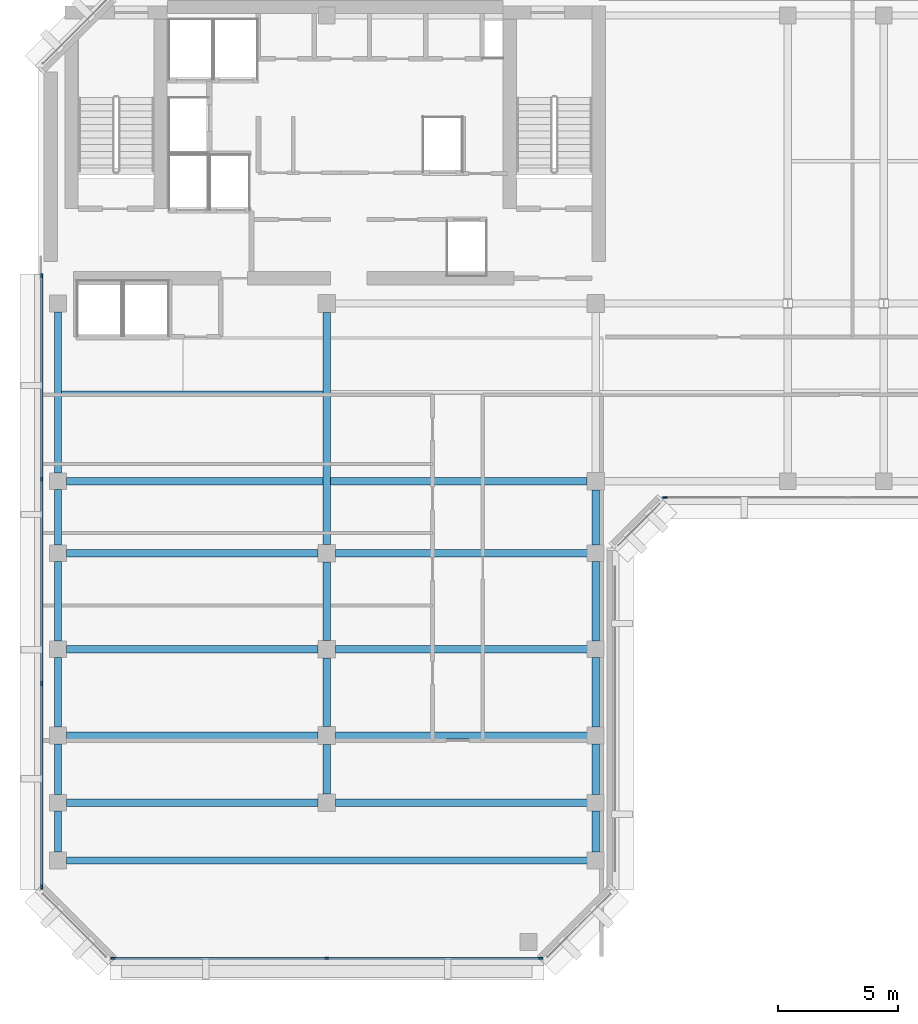
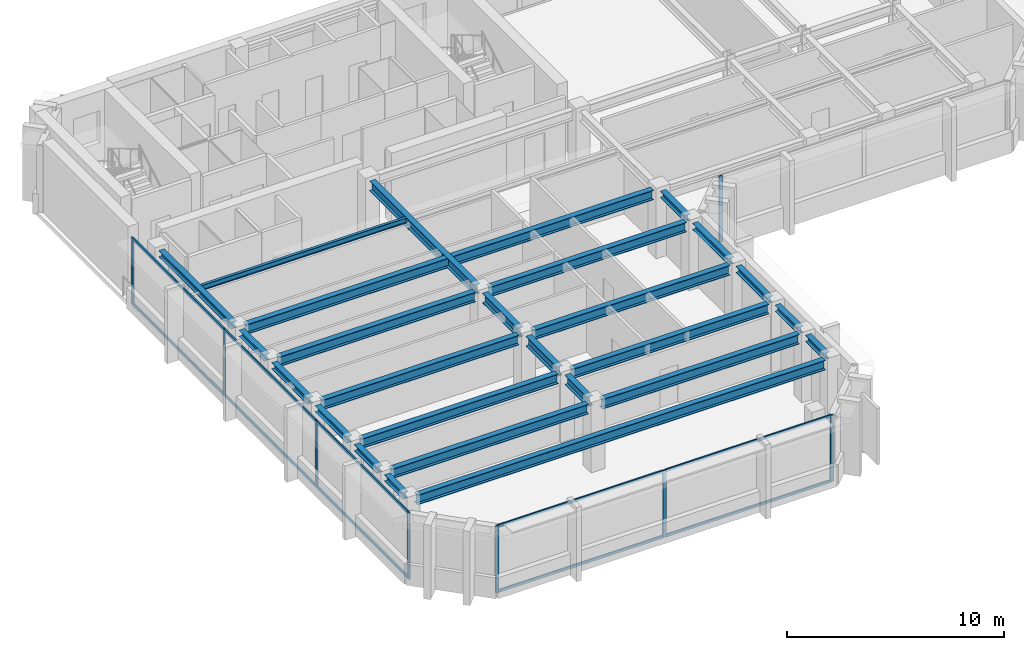
# One storey, part 2 of 11: 26 beams, 18 members, 3 elements without a shape of their own.
"""IFC4 building model written with IfcOpenShell, lengths in metres."""

from ifc_helpers import new_model, si_unit, direction, frame, origin, origin_2d, place, context, subcontext, project, spatial, rectangle, i_section, extrude, material, layer, layer_set, material_profile, profile_set, type_object, element, aggregate, save


model = new_model("IFC4")

# Units and contexts
model_context = context("Model", 3, precision=1e-05, world=origin(), true_north=direction((0.0, 1.0)))
body_context = subcontext(model_context, "Body", "Model", "MODEL_VIEW")
ifc_project = project(units=[si_unit("LENGTHUNIT", "METRE"), si_unit("AREAUNIT", "SQUARE_METRE"), si_unit("VOLUMEUNIT", "CUBIC_METRE"), si_unit("PLANEANGLEUNIT", "RADIAN"), si_unit("MASSUNIT", "GRAM", prefix="KILO")], contexts=[model_context])

# Site, building, storey
site_placement = place(None, origin())
site = spatial("IfcSite", under=ifc_project, at=site_placement, CompositionType="ELEMENT")
building_placement = place(site_placement, origin())
building = spatial("IfcBuilding", under=site, at=building_placement, Name="Kefirva Bronze Tower", CompositionType="ELEMENT")
storey_placement = place(building_placement, frame((0.0, 0.0, 272.25)))
storey = spatial("IfcBuildingStorey", under=building, at=storey_placement, Name="L66", CompositionType="ELEMENT", Elevation=272.25)

# Curtain wall, members
ifc_material_1 = material(Name="Bronze anodised aluminium", Category="aluminium")
ifc_layer = layer(ifc_material_1, 0.179931640625, Name="Bronze anodised aluminium")
ifc_layer_set = layer_set([ifc_layer], Name="Bronze anodised aluminium")
curtain_wall_type = type_object("IfcCurtainWallType", Name="Unitised Bronze Ribbon Curtain Wall Zone 4", PredefinedType="USERDEFINED", material=ifc_layer_set)
curtain_wall_1_placement = place(storey_placement, origin())
curtain_wall_1 = element("IfcCurtainWall", 1, at=curtain_wall_1_placement, inside=storey, type_object=curtain_wall_type, Name="L66 Curtain Wall 1", ObjectType="UNITISED CURTAIN WALL", PredefinedType="USERDEFINED")
ifc_material_profile_1 = material_profile(ifc_material_1, rectangle(XDim=0.074951171875, YDim=0.179931640625, at=origin_2d()), Name="ALU 75x180")
ifc_profile_set_1 = profile_set([ifc_material_profile_1], Name="Bronze anodised aluminium")
member_type_1 = type_object("IfcMemberType", Name="Bronze Mullion 75x180", PredefinedType="MULLION", material=ifc_profile_set_1)
member_1_placement = place(storey_placement, frame((3.092529296875, 5.919921875, 0.0), z_axis=(0.0, 0.0, 1.0), x_axis=(0.0, 1.0, 0.0)))
member_1 = element("IfcMember", 2, at=member_1_placement, type_object=member_type_1, Name="CW-04 mullion 1", PredefinedType="MULLION", context=body_context, shape_type="SweptSolid", body=[
    extrude(rectangle(XDim=0.074951171875, YDim=0.179931640625, at=origin_2d()), origin(), (0.0, 0.0, 1.0), 3.739990234375),
])
member_2_placement = place(storey_placement, frame((12.0, 5.919921875, 0.0), z_axis=(0.0, 0.0, 1.0), x_axis=(0.0, 1.0, 0.0)))
member_2 = element("IfcMember", 3, at=member_2_placement, type_object=member_type_1, Name="CW-04 mullion 2", PredefinedType="MULLION", context=body_context, shape_type="SweptSolid", body=[
    extrude(rectangle(XDim=0.074951171875, YDim=0.179931640625, at=origin_2d()), origin(), (0.0, 0.0, 1.0), 3.739990234375),
])
member_3_placement = place(storey_placement, frame((20.907470703125, 5.919921875, 0.0), z_axis=(0.0, 0.0, 1.0), x_axis=(0.0, 1.0, 0.0)))
member_3 = element("IfcMember", 4, at=member_3_placement, type_object=member_type_1, Name="CW-04 mullion 3", PredefinedType="MULLION", context=body_context, shape_type="SweptSolid", body=[
    extrude(rectangle(XDim=0.074951171875, YDim=0.179931640625, at=origin_2d()), origin(), (0.0, 0.0, 1.0), 3.739990234375),
])

# Curtain wall, member
curtain_wall_2_placement = place(storey_placement, origin())
curtain_wall_2 = element("IfcCurtainWall", 5, at=curtain_wall_2_placement, inside=storey, type_object=curtain_wall_type, Name="L66 Curtain Wall 2", ObjectType="UNITISED CURTAIN WALL", PredefinedType="USERDEFINED")
member_4_placement = place(storey_placement, frame((26.092529296875, 25.1201171875, 0.0), z_axis=(0.0, 0.0, 1.0), x_axis=(0.0, 1.0, 0.0)))
member_4 = element("IfcMember", 6, at=member_4_placement, type_object=member_type_1, Name="CW-04 mullion 1", PredefinedType="MULLION", context=body_context, shape_type="SweptSolid", body=[
    extrude(rectangle(XDim=0.074951171875, YDim=0.179931640625, at=origin_2d()), origin(), (0.0, 0.0, 1.0), 3.739990234375),
])
aggregate(curtain_wall_2, [member_4])

# Curtain wall, members
curtain_wall_3_placement = place(storey_placement, origin())
curtain_wall_3 = element("IfcCurtainWall", 7, at=curtain_wall_3_placement, inside=storey, type_object=curtain_wall_type, Name="L66 Curtain Wall 4", ObjectType="UNITISED CURTAIN WALL", PredefinedType="USERDEFINED")
member_5_placement = place(storey_placement, frame((0.1201171875, 34.357421875, 0.0), z_axis=(0.0, 0.0, 1.0), x_axis=(1.0, 0.0, 0.0)))
member_5 = element("IfcMember", 8, at=member_5_placement, type_object=member_type_1, Name="CW-04 mullion 1", PredefinedType="MULLION", context=body_context, shape_type="SweptSolid", body=[
    extrude(rectangle(XDim=0.074951171875, YDim=0.179931640625, at=origin_2d()), origin(), (0.0, 0.0, 1.0), 3.739990234375),
])
member_6_placement = place(storey_placement, frame((0.1201171875, 25.881591796875, 0.0), z_axis=(0.0, 0.0, 1.0), x_axis=(1.0, 0.0, 0.0)))
member_6 = element("IfcMember", 9, at=member_6_placement, type_object=member_type_1, Name="CW-04 mullion 2", PredefinedType="MULLION", context=body_context, shape_type="SweptSolid", body=[
    extrude(rectangle(XDim=0.074951171875, YDim=0.179931640625, at=origin_2d()), origin(), (0.0, 0.0, 1.0), 3.739990234375),
])
member_7_placement = place(storey_placement, frame((0.1201171875, 17.368408203125, 0.0), z_axis=(0.0, 0.0, 1.0), x_axis=(1.0, 0.0, 0.0)))
member_7 = element("IfcMember", 10, at=member_7_placement, type_object=member_type_1, Name="CW-04 mullion 3", PredefinedType="MULLION", context=body_context, shape_type="SweptSolid", body=[
    extrude(rectangle(XDim=0.074951171875, YDim=0.179931640625, at=origin_2d()), origin(), (0.0, 0.0, 1.0), 3.739990234375),
])
member_8_placement = place(storey_placement, frame((0.1201171875, 8.892578125, 0.0), z_axis=(0.0, 0.0, 1.0), x_axis=(1.0, 0.0, 0.0)))
member_8 = element("IfcMember", 11, at=member_8_placement, type_object=member_type_1, Name="CW-04 mullion 4", PredefinedType="MULLION", context=body_context, shape_type="SweptSolid", body=[
    extrude(rectangle(XDim=0.074951171875, YDim=0.179931640625, at=origin_2d()), origin(), (0.0, 0.0, 1.0), 3.739990234375),
])

# Member
ifc_material_profile_2 = material_profile(ifc_material_1, rectangle(XDim=0.074951171875, YDim=0.14990234375, at=origin_2d()), Name="ALU 75x150")
ifc_profile_set_2 = profile_set([ifc_material_profile_2], Name="Bronze anodised aluminium")
member_type_2 = type_object("IfcMemberType", Name="Bronze Transom 75x150", PredefinedType="USERDEFINED", material=ifc_profile_set_2)
member_9_placement = place(storey_placement, frame((3.1298828125, 5.919921875, 0.03759765625), z_axis=(1.0, 0.0, 0.0), x_axis=(0.0, 1.0, 0.0)))
member_9 = element("IfcMember", 12, at=member_9_placement, type_object=member_type_2, Name="CW-04 transom 1.1", ObjectType="TRANSOM", PredefinedType="USERDEFINED", context=body_context, shape_type="SweptSolid", body=[
    extrude(rectangle(XDim=0.074951171875, YDim=0.14990234375, at=origin_2d()), origin(), (0.0, 0.0, 1.0), 8.83251953125),
])

member_10_placement = place(storey_placement, frame((3.1298828125, 5.919921875, 3.702392578125), z_axis=(1.0, 0.0, 0.0), x_axis=(0.0, 1.0, 0.0)))
member_10 = element("IfcMember", 13, at=member_10_placement, type_object=member_type_2, Name="CW-04 transom 1.2", ObjectType="TRANSOM", PredefinedType="USERDEFINED", context=body_context, shape_type="SweptSolid", body=[
    extrude(rectangle(XDim=0.074951171875, YDim=0.14990234375, at=origin_2d()), origin(), (0.0, 0.0, 1.0), 8.83251953125),
])

member_11_placement = place(storey_placement, frame((12.03759765625, 5.919921875, 0.03759765625), z_axis=(1.0, 0.0, 0.0), x_axis=(0.0, 1.0, 0.0)))
member_11 = element("IfcMember", 14, at=member_11_placement, type_object=member_type_2, Name="CW-04 transom 2.1", ObjectType="TRANSOM", PredefinedType="USERDEFINED", context=body_context, shape_type="SweptSolid", body=[
    extrude(rectangle(XDim=0.074951171875, YDim=0.14990234375, at=origin_2d()), origin(), (0.0, 0.0, 1.0), 8.83251953125),
])

member_12_placement = place(storey_placement, frame((12.03759765625, 5.919921875, 3.702392578125), z_axis=(1.0, 0.0, 0.0), x_axis=(0.0, 1.0, 0.0)))
member_12 = element("IfcMember", 15, at=member_12_placement, type_object=member_type_2, Name="CW-04 transom 2.2", ObjectType="TRANSOM", PredefinedType="USERDEFINED", context=body_context, shape_type="SweptSolid", body=[
    extrude(rectangle(XDim=0.074951171875, YDim=0.14990234375, at=origin_2d()), origin(), (0.0, 0.0, 1.0), 8.83251953125),
])

aggregate(curtain_wall_1, [member_1, member_2, member_3, member_9, member_10, member_11, member_12])

member_13_placement = place(storey_placement, frame((0.1201171875, 34.320068359375, 0.03759765625), z_axis=(0.0, -1.0, 0.0), x_axis=(1.0, 0.0, 0.0)))
member_13 = element("IfcMember", 16, at=member_13_placement, type_object=member_type_2, Name="CW-04 transom 1.1", ObjectType="TRANSOM", PredefinedType="USERDEFINED", context=body_context, shape_type="SweptSolid", body=[
    extrude(rectangle(XDim=0.074951171875, YDim=0.14990234375, at=origin_2d()), origin(), (0.0, 0.0, 1.0), 8.40087890625),
])

member_14_placement = place(storey_placement, frame((0.1201171875, 34.320068359375, 3.702392578125), z_axis=(0.0, -1.0, 0.0), x_axis=(1.0, 0.0, 0.0)))
member_14 = element("IfcMember", 17, at=member_14_placement, type_object=member_type_2, Name="CW-04 transom 1.2", ObjectType="TRANSOM", PredefinedType="USERDEFINED", context=body_context, shape_type="SweptSolid", body=[
    extrude(rectangle(XDim=0.074951171875, YDim=0.14990234375, at=origin_2d()), origin(), (0.0, 0.0, 1.0), 8.40087890625),
])

member_15_placement = place(storey_placement, frame((0.1201171875, 25.84423828125, 0.03759765625), z_axis=(0.0, -1.0, 0.0), x_axis=(1.0, 0.0, 0.0)))
member_15 = element("IfcMember", 18, at=member_15_placement, type_object=member_type_2, Name="CW-04 transom 2.1", ObjectType="TRANSOM", PredefinedType="USERDEFINED", context=body_context, shape_type="SweptSolid", body=[
    extrude(rectangle(XDim=0.074951171875, YDim=0.14990234375, at=origin_2d()), origin(), (0.0, 0.0, 1.0), 8.4384765625),
])

member_16_placement = place(storey_placement, frame((0.1201171875, 25.84423828125, 3.702392578125), z_axis=(0.0, -1.0, 0.0), x_axis=(1.0, 0.0, 0.0)))
member_16 = element("IfcMember", 19, at=member_16_placement, type_object=member_type_2, Name="CW-04 transom 2.2", ObjectType="TRANSOM", PredefinedType="USERDEFINED", context=body_context, shape_type="SweptSolid", body=[
    extrude(rectangle(XDim=0.074951171875, YDim=0.14990234375, at=origin_2d()), origin(), (0.0, 0.0, 1.0), 8.4384765625),
])

member_17_placement = place(storey_placement, frame((0.1201171875, 17.330810546875, 0.03759765625), z_axis=(0.0, -1.0, 0.0), x_axis=(1.0, 0.0, 0.0)))
member_17 = element("IfcMember", 20, at=member_17_placement, type_object=member_type_2, Name="CW-04 transom 3.1", ObjectType="TRANSOM", PredefinedType="USERDEFINED", context=body_context, shape_type="SweptSolid", body=[
    extrude(rectangle(XDim=0.074951171875, YDim=0.14990234375, at=origin_2d()), origin(), (0.0, 0.0, 1.0), 8.40087890625),
])

member_18_placement = place(storey_placement, frame((0.1201171875, 17.330810546875, 3.702392578125), z_axis=(0.0, -1.0, 0.0), x_axis=(1.0, 0.0, 0.0)))
member_18 = element("IfcMember", 21, at=member_18_placement, type_object=member_type_2, Name="CW-04 transom 3.2", ObjectType="TRANSOM", PredefinedType="USERDEFINED", context=body_context, shape_type="SweptSolid", body=[
    extrude(rectangle(XDim=0.074951171875, YDim=0.14990234375, at=origin_2d()), origin(), (0.0, 0.0, 1.0), 8.40087890625),
])

aggregate(curtain_wall_3, [member_5, member_6, member_7, member_8, member_13, member_14, member_15, member_16, member_17, member_18])

# Beams
ifc_material_2 = material(Name="Steel S355", Category="steel")
ifc_material_profile_3 = material_profile(ifc_material_2, i_section(OverallWidth=0.14990234375, OverallDepth=0.300048828125, WebThickness=0.007080078125, FlangeThickness=0.0107421875, at=origin_2d()), Name="IPE 300")
ifc_profile_set_3 = profile_set([ifc_material_profile_3], Name="Steel S355")
beam_type_1 = type_object("IfcBeamType", Name="Steel Floor Joist IPE 300", PredefinedType="JOIST", material=ifc_profile_set_3)
beam_1_placement = place(storey_placement, frame((0.949951171875, 29.489990234375, 3.590087890625), z_axis=(1.0, 0.0, 0.0), x_axis=(0.0, 1.0, 0.0)))
element("IfcBeam", 22, at=beam_1_placement, inside=storey, type_object=beam_type_1, Name="L66 JST-L66-0-294", PredefinedType="JOIST", context=body_context, shape_type="SweptSolid", body=[
    extrude(i_section(OverallWidth=0.14990234375, OverallDepth=0.300048828125, WebThickness=0.007080078125, FlangeThickness=0.0107421875, at=origin_2d()), origin(), (0.0, 0.0, 1.0), 10.900146484375),
])
ifc_material_profile_4 = material_profile(ifc_material_2, i_section(OverallWidth=0.300048828125, OverallDepth=0.550048828125, WebThickness=0.014892578125, FlangeThickness=0.029052734375, at=origin_2d()), Name="HEB 550")
ifc_profile_set_4 = profile_set([ifc_material_profile_4], Name="Steel S355")
beam_type_2 = type_object("IfcBeamType", Name="Steel Girder HEB 550", PredefinedType="USERDEFINED", material=ifc_profile_set_4)
beam_2_placement = place(storey_placement, frame((1.14990234375, 10.0, 3.465087890625), z_axis=(1.0, 0.0, 0.0), x_axis=(0.0, 1.0, 0.0)))
element("IfcBeam", 23, at=beam_2_placement, inside=storey, type_object=beam_type_2, Name="L66 BM-L66-EW-0-100", ObjectType="GIRDER", PredefinedType="USERDEFINED", context=body_context, shape_type="SweptSolid", body=[
    extrude(i_section(OverallWidth=0.300048828125, OverallDepth=0.550048828125, WebThickness=0.014892578125, FlangeThickness=0.029052734375, at=origin_2d()), origin(), (0.0, 0.0, 1.0), 21.7001953125),
])
for number, where, z_axis, x_axis, name in (
    (24, (1.14990234375, 12.39990234375, 3.465087890625), (1.0, 0.0, 0.0), (0.0, 1.0, 0.0), "L66 BM-L66-EW-0-124"),
    (25, (12.3701171875, 12.39990234375, 3.465087890625), (1.0, 0.0, 0.0), (0.0, 1.0, 0.0), "L66 BM-L66-EW-12-124"),
    (26, (1.14990234375, 15.199951171875, 3.465087890625), (1.0, 0.0, 0.0), (0.0, 1.0, 0.0), "L66 BM-L66-EW-0-152"),
    (27, (12.3701171875, 15.199951171875, 3.465087890625), (1.0, 0.0, 0.0), (0.0, 1.0, 0.0), "L66 BM-L66-EW-12-152"),
    (28, (1.14990234375, 18.800048828125, 3.465087890625), (1.0, 0.0, 0.0), (0.0, 1.0, 0.0), "L66 BM-L66-EW-0-188"),
    (29, (12.3701171875, 18.800048828125, 3.465087890625), (1.0, 0.0, 0.0), (0.0, 1.0, 0.0), "L66 BM-L66-EW-12-188"),
    (30, (1.14990234375, 22.800048828125, 3.465087890625), (1.0, 0.0, 0.0), (0.0, 1.0, 0.0), "L66 BM-L66-EW-0-228"),
    (31, (12.3701171875, 22.800048828125, 3.465087890625), (1.0, 0.0, 0.0), (0.0, 1.0, 0.0), "L66 BM-L66-EW-12-228"),
):
    element("IfcBeam", number, at=place(storey_placement, frame(where, z_axis=z_axis, x_axis=x_axis)), inside=storey, type_object=beam_type_2, Name=name, ObjectType="GIRDER", PredefinedType="USERDEFINED", context=body_context, shape_type="SweptSolid", body=[
        extrude(i_section(OverallWidth=0.300048828125, OverallDepth=0.550048828125, WebThickness=0.014892578125, FlangeThickness=0.029052734375, at=origin_2d()), origin(), (0.0, 0.0, 1.0), 10.47998046875),
    ])
beam_3_placement = place(storey_placement, frame((1.14990234375, 25.800048828125, 3.465087890625), z_axis=(1.0, 0.0, 0.0), x_axis=(0.0, 1.0, 0.0)))
element("IfcBeam", 32, at=beam_3_placement, inside=storey, type_object=beam_type_2, Name="L66 BM-L66-EW-0-258", ObjectType="GIRDER", PredefinedType="USERDEFINED", context=body_context, shape_type="SweptSolid", body=[
    extrude(i_section(OverallWidth=0.300048828125, OverallDepth=0.550048828125, WebThickness=0.014892578125, FlangeThickness=0.029052734375, at=origin_2d()), origin(), (0.0, 0.0, 1.0), 21.68017578125),
])
beam_4_placement = place(storey_placement, frame((12.0, 12.77001953125, 3.465087890625), z_axis=(0.0, 1.0, 0.0), x_axis=(-1.0, 0.0, 0.0)))
element("IfcBeam", 33, at=beam_4_placement, inside=storey, type_object=beam_type_2, Name="L66 BM-L66-NS-120-12", ObjectType="GIRDER", PredefinedType="USERDEFINED", context=body_context, shape_type="SweptSolid", body=[
    extrude(i_section(OverallWidth=0.300048828125, OverallDepth=0.550048828125, WebThickness=0.014892578125, FlangeThickness=0.029052734375, at=origin_2d()), origin(), (0.0, 0.0, 1.0), 2.06005859375),
])
beam_5_placement = place(storey_placement, frame((12.0, 15.570068359375, 3.465087890625), z_axis=(0.0, 1.0, 0.0), x_axis=(-1.0, 0.0, 0.0)))
element("IfcBeam", 34, at=beam_5_placement, inside=storey, type_object=beam_type_2, Name="L66 BM-L66-NS-120-15", ObjectType="GIRDER", PredefinedType="USERDEFINED", context=body_context, shape_type="SweptSolid", body=[
    extrude(i_section(OverallWidth=0.300048828125, OverallDepth=0.550048828125, WebThickness=0.014892578125, FlangeThickness=0.029052734375, at=origin_2d()), origin(), (0.0, 0.0, 1.0), 2.85986328125),
])
beam_6_placement = place(storey_placement, frame((12.0, 19.169921875, 3.465087890625), z_axis=(0.0, 1.0, 0.0), x_axis=(-1.0, 0.0, 0.0)))
element("IfcBeam", 35, at=beam_6_placement, inside=storey, type_object=beam_type_2, Name="L66 BM-L66-NS-120-18", ObjectType="GIRDER", PredefinedType="USERDEFINED", context=body_context, shape_type="SweptSolid", body=[
    extrude(i_section(OverallWidth=0.300048828125, OverallDepth=0.550048828125, WebThickness=0.014892578125, FlangeThickness=0.029052734375, at=origin_2d()), origin(), (0.0, 0.0, 1.0), 3.260009765625),
])
beam_7_placement = place(storey_placement, frame((12.0, 23.169921875, 3.465087890625), z_axis=(0.0, 1.0, 0.0), x_axis=(-1.0, 0.0, 0.0)))
element("IfcBeam", 36, at=beam_7_placement, inside=storey, type_object=beam_type_2, Name="L66 BM-L66-NS-120-22", ObjectType="GIRDER", PredefinedType="USERDEFINED", context=body_context, shape_type="SweptSolid", body=[
    extrude(i_section(OverallWidth=0.300048828125, OverallDepth=0.550048828125, WebThickness=0.014892578125, FlangeThickness=0.029052734375, at=origin_2d()), origin(), (0.0, 0.0, 1.0), 9.66015625),
])
ifc_material_profile_5 = material_profile(ifc_material_2, i_section(OverallWidth=0.300048828125, OverallDepth=0.360107421875, WebThickness=0.012451171875, FlangeThickness=0.0224609375, at=origin_2d()), Name="HEB 360")
ifc_profile_set_5 = profile_set([ifc_material_profile_5], Name="Steel S355")
beam_type_3 = type_object("IfcBeamType", Name="Steel Spandrel HEB 360 Ext", PredefinedType="SPANDREL", material=ifc_profile_set_5)
beam_8_placement = place(storey_placement, frame((0.800048828125, 10.35009765625, 3.56005859375), z_axis=(0.0, 1.0, 0.0), x_axis=(-1.0, 0.0, 0.0)))
element("IfcBeam", 37, at=beam_8_placement, inside=storey, type_object=beam_type_3, Name="L66 BM-L66-NS-8-10", PredefinedType="SPANDREL", context=body_context, shape_type="SweptSolid", body=[
    extrude(i_section(OverallWidth=0.300048828125, OverallDepth=0.360107421875, WebThickness=0.012451171875, FlangeThickness=0.0224609375, at=origin_2d()), origin(), (0.0, 0.0, 1.0), 1.699951171875),
])
beam_9_placement = place(storey_placement, frame((0.800048828125, 12.75, 3.56005859375), z_axis=(0.0, 1.0, 0.0), x_axis=(-1.0, 0.0, 0.0)))
element("IfcBeam", 38, at=beam_9_placement, inside=storey, type_object=beam_type_3, Name="L66 BM-L66-NS-8-12", PredefinedType="SPANDREL", context=body_context, shape_type="SweptSolid", body=[
    extrude(i_section(OverallWidth=0.300048828125, OverallDepth=0.360107421875, WebThickness=0.012451171875, FlangeThickness=0.0224609375, at=origin_2d()), origin(), (0.0, 0.0, 1.0), 2.10009765625),
])
beam_10_placement = place(storey_placement, frame((0.800048828125, 15.550048828125, 3.56005859375), z_axis=(0.0, 1.0, 0.0), x_axis=(-1.0, 0.0, 0.0)))
element("IfcBeam", 39, at=beam_10_placement, inside=storey, type_object=beam_type_3, Name="L66 BM-L66-NS-8-15", PredefinedType="SPANDREL", context=body_context, shape_type="SweptSolid", body=[
    extrude(i_section(OverallWidth=0.300048828125, OverallDepth=0.360107421875, WebThickness=0.012451171875, FlangeThickness=0.0224609375, at=origin_2d()), origin(), (0.0, 0.0, 1.0), 2.89990234375),
])
beam_11_placement = place(storey_placement, frame((0.800048828125, 19.14990234375, 3.56005859375), z_axis=(0.0, 1.0, 0.0), x_axis=(-1.0, 0.0, 0.0)))
element("IfcBeam", 40, at=beam_11_placement, inside=storey, type_object=beam_type_3, Name="L66 BM-L66-NS-8-18", PredefinedType="SPANDREL", context=body_context, shape_type="SweptSolid", body=[
    extrude(i_section(OverallWidth=0.300048828125, OverallDepth=0.360107421875, WebThickness=0.012451171875, FlangeThickness=0.0224609375, at=origin_2d()), origin(), (0.0, 0.0, 1.0), 3.300048828125),
])
beam_12_placement = place(storey_placement, frame((0.800048828125, 23.14990234375, 3.56005859375), z_axis=(0.0, 1.0, 0.0), x_axis=(-1.0, 0.0, 0.0)))
element("IfcBeam", 41, at=beam_12_placement, inside=storey, type_object=beam_type_3, Name="L66 BM-L66-NS-8-22", PredefinedType="SPANDREL", context=body_context, shape_type="SweptSolid", body=[
    extrude(i_section(OverallWidth=0.300048828125, OverallDepth=0.360107421875, WebThickness=0.012451171875, FlangeThickness=0.0224609375, at=origin_2d()), origin(), (0.0, 0.0, 1.0), 2.300048828125),
])
beam_13_placement = place(storey_placement, frame((0.800048828125, 26.14990234375, 3.56005859375), z_axis=(0.0, 1.0, 0.0), x_axis=(-1.0, 0.0, 0.0)))
element("IfcBeam", 42, at=beam_13_placement, inside=storey, type_object=beam_type_3, Name="L66 BM-L66-NS-8-25", PredefinedType="SPANDREL", context=body_context, shape_type="SweptSolid", body=[
    extrude(i_section(OverallWidth=0.300048828125, OverallDepth=0.360107421875, WebThickness=0.012451171875, FlangeThickness=0.0224609375, at=origin_2d()), origin(), (0.0, 0.0, 1.0), 6.7001953125),
])
beam_14_placement = place(storey_placement, frame((23.199951171875, 10.35009765625, 3.56005859375), z_axis=(0.0, 1.0, 0.0), x_axis=(-1.0, 0.0, 0.0)))
element("IfcBeam", 43, at=beam_14_placement, inside=storey, type_object=beam_type_3, Name="L66 BM-L66-NS-232-10", PredefinedType="SPANDREL", context=body_context, shape_type="SweptSolid", body=[
    extrude(i_section(OverallWidth=0.300048828125, OverallDepth=0.360107421875, WebThickness=0.012451171875, FlangeThickness=0.0224609375, at=origin_2d()), origin(), (0.0, 0.0, 1.0), 1.699951171875),
])
beam_15_placement = place(storey_placement, frame((23.199951171875, 12.75, 3.56005859375), z_axis=(0.0, 1.0, 0.0), x_axis=(-1.0, 0.0, 0.0)))
element("IfcBeam", 44, at=beam_15_placement, inside=storey, type_object=beam_type_3, Name="L66 BM-L66-NS-232-12", PredefinedType="SPANDREL", context=body_context, shape_type="SweptSolid", body=[
    extrude(i_section(OverallWidth=0.300048828125, OverallDepth=0.360107421875, WebThickness=0.012451171875, FlangeThickness=0.0224609375, at=origin_2d()), origin(), (0.0, 0.0, 1.0), 2.10009765625),
])
beam_16_placement = place(storey_placement, frame((23.199951171875, 15.550048828125, 3.56005859375), z_axis=(0.0, 1.0, 0.0), x_axis=(-1.0, 0.0, 0.0)))
element("IfcBeam", 45, at=beam_16_placement, inside=storey, type_object=beam_type_3, Name="L66 BM-L66-NS-232-15", PredefinedType="SPANDREL", context=body_context, shape_type="SweptSolid", body=[
    extrude(i_section(OverallWidth=0.300048828125, OverallDepth=0.360107421875, WebThickness=0.012451171875, FlangeThickness=0.0224609375, at=origin_2d()), origin(), (0.0, 0.0, 1.0), 2.89990234375),
])
beam_17_placement = place(storey_placement, frame((23.199951171875, 19.14990234375, 3.56005859375), z_axis=(0.0, 1.0, 0.0), x_axis=(-1.0, 0.0, 0.0)))
element("IfcBeam", 46, at=beam_17_placement, inside=storey, type_object=beam_type_3, Name="L66 BM-L66-NS-232-18", PredefinedType="SPANDREL", context=body_context, shape_type="SweptSolid", body=[
    extrude(i_section(OverallWidth=0.300048828125, OverallDepth=0.360107421875, WebThickness=0.012451171875, FlangeThickness=0.0224609375, at=origin_2d()), origin(), (0.0, 0.0, 1.0), 3.300048828125),
])
beam_18_placement = place(storey_placement, frame((23.199951171875, 23.14990234375, 3.56005859375), z_axis=(0.0, 1.0, 0.0), x_axis=(-1.0, 0.0, 0.0)))
element("IfcBeam", 47, at=beam_18_placement, inside=storey, type_object=beam_type_3, Name="L66 BM-L66-NS-232-22", PredefinedType="SPANDREL", context=body_context, shape_type="SweptSolid", body=[
    extrude(i_section(OverallWidth=0.300048828125, OverallDepth=0.360107421875, WebThickness=0.012451171875, FlangeThickness=0.0224609375, at=origin_2d()), origin(), (0.0, 0.0, 1.0), 2.280029296875),
])

save(model, "model.ifc")
